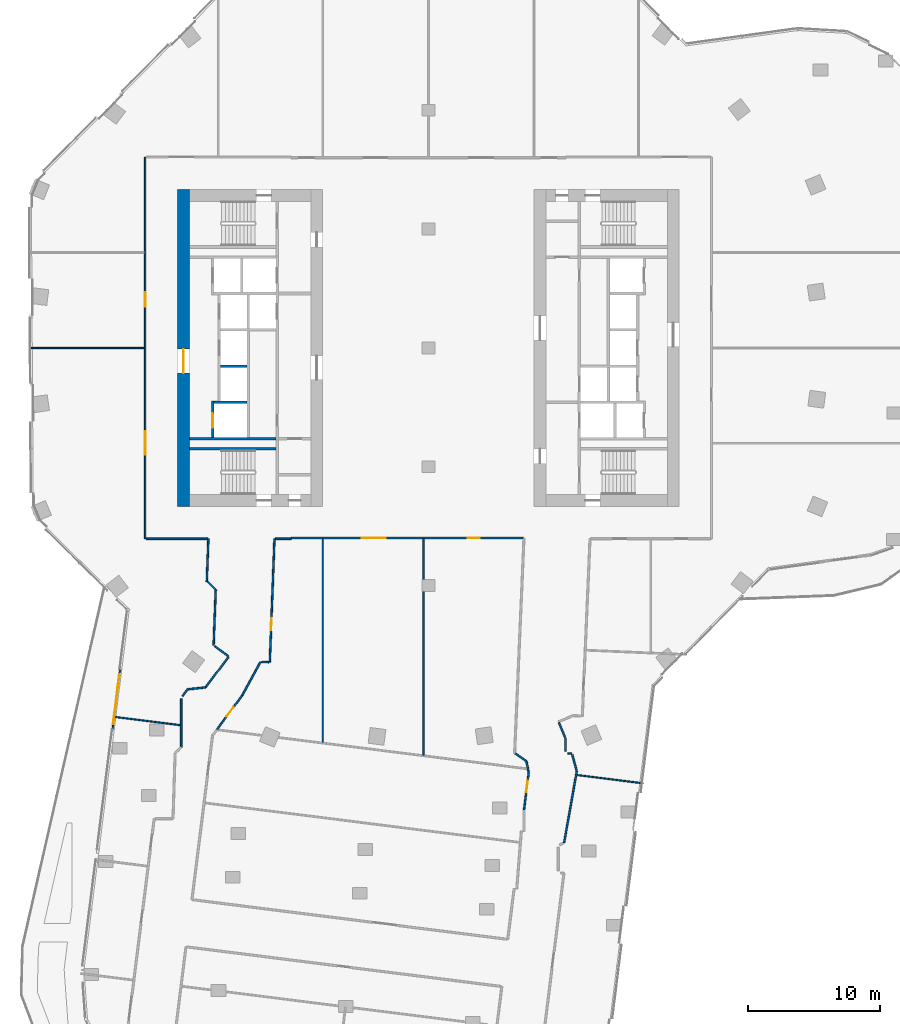
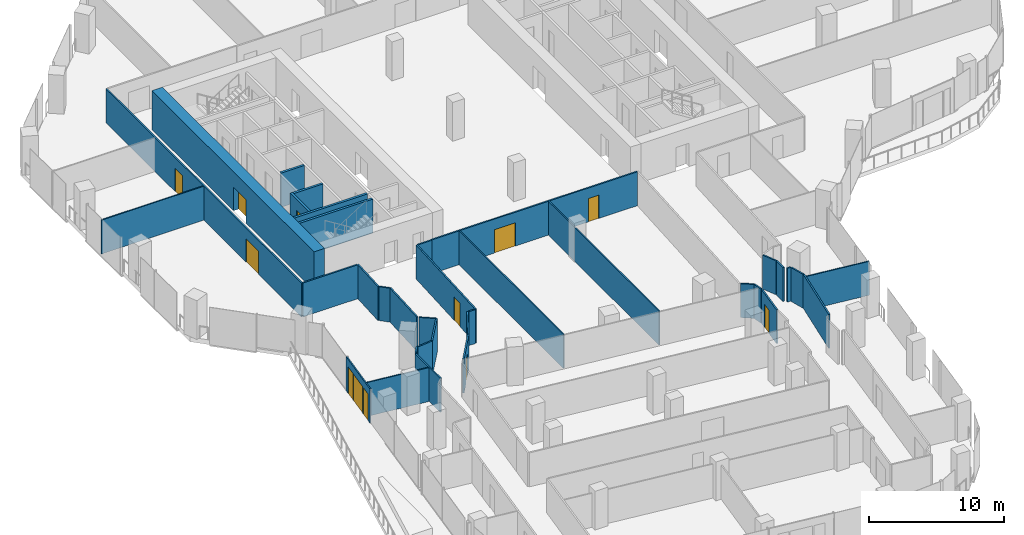
# One storey, part 20 of 29: 36 walls, 10 doors, 2 windows, 12 openings.
"""IFC4 building model written with IfcOpenShell, lengths in metres."""

from ifc_helpers import new_model, si_unit, direction, frame, frame_2d, origin, place, context, subcontext, project, spatial, rectangle, extrude, material, layer, layer_set, type_object, element, fill, save


model = new_model("IFC4")

# Units and contexts
model_context = context("Model", 3, precision=1e-05, world=origin(), true_north=direction((0.0, 1.0)))
body_context = subcontext(model_context, "Body", "Model", "MODEL_VIEW")
ifc_project = project(units=[si_unit("LENGTHUNIT", "METRE"), si_unit("AREAUNIT", "SQUARE_METRE"), si_unit("VOLUMEUNIT", "CUBIC_METRE"), si_unit("PLANEANGLEUNIT", "RADIAN"), si_unit("MASSUNIT", "GRAM", prefix="KILO")], contexts=[model_context])

# Site, building, storey
site_placement = place(None, origin())
site = spatial("IfcSite", under=ifc_project, at=site_placement, CompositionType="ELEMENT")
building_placement = place(site_placement, origin())
building = spatial("IfcBuilding", under=site, at=building_placement, Name="Orlundy Tower", CompositionType="ELEMENT")
storey_placement = place(building_placement, frame((0.0, 0.0, 188.60009765625)))
storey = spatial("IfcBuildingStorey", under=building, at=storey_placement, Name="L49", CompositionType="ELEMENT", Elevation=188.60009765625)

# Wall, opening, door
ifc_material_1 = material(Name="Concrete C70/85", Category="concrete")
ifc_layer_1 = layer(ifc_material_1, 0.89990234375)
ifc_layer_set_1 = layer_set([ifc_layer_1], Name="CORE WALL 900 C70/85")
wall_type_1 = type_object("IfcWallType", Name="CORE WALL 900 C70/85", PredefinedType="SHEAR", material=ifc_layer_set_1)
wall_1_placement = place(storey_placement, frame((-18.550048828125, -12.0, 0.0), z_axis=(0.0, 0.0, 1.0), x_axis=(0.0, 1.0, 0.0)))
wall_1 = element("IfcWall", 1, at=wall_1_placement, inside=storey, type_object=wall_type_1, Name="Core wall W-W L49", PredefinedType="SHEAR", context=body_context, shape_type="SweptSolid", body=[
    extrude(rectangle(XDim=24.0, YDim=0.89990234375, at=frame_2d((12.0, 0.0))), origin(), (0.0, 0.0, 1.0), 3.5),
])
opening_1_placement = place(wall_1_placement, frame((10.10009765625, 0.0, 0.0)))
opening_1 = element("IfcOpeningElement", 2, at=opening_1_placement, cuts=wall_1, Name="Opening 38009", PredefinedType="OPENING", context=body_context, shape_type="SweptSolid", body=[
    extrude(rectangle(XDim=1.800048828125, YDim=2.10009765625, at=frame_2d((0.89990234375, 1.050048828125))), frame((0.0, 0.4599609375, 0.0), z_axis=(0.0, -1.0, 0.0), x_axis=(1.0, 0.0, 0.0)), (0.0, 0.0, 1.0), 0.919921875),
])
ifc_material_2 = material(Name="Timber door set", Category="wood")
door_type_1 = type_object("IfcDoorType", Name="Lobby Door 1800x2100", OperationType="DOUBLE_DOOR_DOUBLE_SWING", PredefinedType="DOOR", material=ifc_material_2)
door_1_placement = place(opening_1_placement, origin())
door_1 = element("IfcDoor", 3, at=door_1_placement, inside=storey, type_object=door_type_1, Name="Lift lobby door 38009", OperationType="SINGLE_SWING_LEFT", OverallHeight=2.10009765625, OverallWidth=1.800048828125, PredefinedType="DOOR", context=body_context, shape_type="SweptSolid", body=[
    extrude(rectangle(XDim=1.800048828125, YDim=2.10009765625, at=frame_2d((0.89990234375, 1.050048828125))), frame((0.0, 0.02490234375, 0.0), z_axis=(0.0, -1.0, 0.0), x_axis=(1.0, 0.0, 0.0)), (0.0, 0.0, 1.0), 0.050048828125),
])
fill(opening_1, door_1)

# Walls
ifc_material_3 = material(Name="Gypsum board partition")
ifc_layer_2 = layer(ifc_material_3, 0.10009765625)
ifc_layer_set_2 = layer_set([ifc_layer_2], Name="Floor partition 100")
wall_type_2 = type_object("IfcWallType", Name="Floor partition 100", PredefinedType="PARTITIONING", material=ifc_layer_set_2)
wall_2_placement = place(storey_placement, frame((-23.702880859375, -27.955078125, 0.0), z_axis=(0.0, 0.0, 1.0), x_axis=(0.992195935575, -0.124688513617, 0.0)))
element("IfcWall", 4, at=wall_2_placement, inside=storey, type_object=wall_type_2, Name="wall-int-L49-015", PredefinedType="PARTITIONING", context=body_context, shape_type="SweptSolid", body=[
    extrude(rectangle(XDim=4.963623046875, YDim=0.10009765625, at=frame_2d((2.48193359375, 0.0))), origin(), (0.0, 0.0, 1.0), 3.059814453125),
])
wall_3_placement = place(storey_placement, frame((11.27001953125, -32.35302734375, 0.0), z_axis=(0.0, 0.0, 1.0), x_axis=(0.992205292303, -0.124614035831, 0.0)))
element("IfcWall", 5, at=wall_3_placement, inside=storey, type_object=wall_type_2, Name="wall-int-L49-017", PredefinedType="PARTITIONING", context=body_context, shape_type="SweptSolid", body=[
    extrude(rectangle(XDim=5.03125, YDim=0.10009765625, at=frame_2d((2.515625, 0.0))), origin(), (0.0, 0.0, 1.0), 3.059814453125),
])
wall_4_placement = place(storey_placement, frame((-30.2509765625, 0.0, 0.0), z_axis=(0.0, 0.0, 1.0), x_axis=(1.0, 0.0, 0.0)))
element("IfcWall", 6, at=wall_4_placement, inside=storey, type_object=wall_type_2, Name="wall-int-L49-035", PredefinedType="PARTITIONING", context=body_context, shape_type="SweptSolid", body=[
    extrude(rectangle(XDim=8.739013671875, YDim=0.10009765625, at=frame_2d((4.36962890625, 0.0))), origin(), (0.0, 0.0, 1.0), 3.059814453125),
])
wall_5_placement = place(storey_placement, frame((-0.37890625, -30.837890625, 0.0), z_axis=(0.0, 0.0, 1.0), x_axis=(0.0, 1.0, 0.0)))
element("IfcWall", 7, at=wall_5_placement, inside=storey, type_object=wall_type_2, Name="wall-int-L49-081", PredefinedType="PARTITIONING", context=body_context, shape_type="SweptSolid", body=[
    extrude(rectangle(XDim=16.375, YDim=0.10009765625, at=frame_2d((8.1875, 0.0))), origin(), (0.0, 0.0, 1.0), 3.059814453125),
])
wall_6_placement = place(storey_placement, frame((-8.0, -29.87890625, 0.0), z_axis=(0.0, 0.0, 1.0), x_axis=(0.0, 1.0, 0.0)))
element("IfcWall", 8, at=wall_6_placement, inside=storey, type_object=wall_type_2, Name="wall-int-L49-082", PredefinedType="PARTITIONING", context=body_context, shape_type="SweptSolid", body=[
    extrude(rectangle(XDim=15.416015625, YDim=0.10009765625, at=frame_2d((7.7080078125, 0.0))), origin(), (0.0, 0.0, 1.0), 3.059814453125),
])
ifc_material_4 = material(Name="Gypsum board partition, double layer")
ifc_layer_3 = layer(ifc_material_4, 0.125)
ifc_layer_set_3 = layer_set([ifc_layer_3], Name="Floor partition 125")
wall_type_3 = type_object("IfcWallType", Name="Floor partition 125", PredefinedType="PARTITIONING", material=ifc_layer_set_3)
wall_7_placement = place(storey_placement, frame((7.587890625, -32.117919921875, 0.0), z_axis=(0.0, 0.0, 1.0), x_axis=(-0.188133951959, 0.982143378596, 0.0)))
element("IfcWall", 9, at=wall_7_placement, inside=storey, type_object=wall_type_3, Name="wall-int-L49-001", PredefinedType="PARTITIONING", context=body_context, shape_type="SweptSolid", body=[
    extrude(rectangle(XDim=0.812255859375, YDim=0.125, at=frame_2d((0.40625, 0.0))), origin(), (0.0, 0.0, 1.0), 3.059814453125),
])
wall_8_placement = place(storey_placement, frame((11.22705078125, -32.0009765625, 0.0), z_axis=(0.0, 0.0, 1.0), x_axis=(-0.264486640985, 0.964389349143, 0.0)))
element("IfcWall", 10, at=wall_8_placement, inside=storey, type_object=wall_type_3, Name="wall-int-L49-002", PredefinedType="PARTITIONING", context=body_context, shape_type="SweptSolid", body=[
    extrude(rectangle(XDim=1.23681640625, YDim=0.125, at=frame_2d((0.618408203125, 0.0))), origin(), (0.0, 0.0, 1.0), 3.059814453125),
])
wall_9_placement = place(storey_placement, frame((9.885009765625, -28.373046875, 0.0), z_axis=(0.0, 0.0, 1.0), x_axis=(0.388859205029, -0.921297193453, 0.0)))
element("IfcWall", 11, at=wall_9_placement, inside=storey, type_object=wall_type_3, Name="wall-int-L49-003", PredefinedType="PARTITIONING", context=body_context, shape_type="SweptSolid", body=[
    extrude(rectangle(XDim=1.224365234375, YDim=0.125, at=frame_2d((0.6123046875, 0.0))), origin(), (0.0, 0.0, 1.0), 3.059814453125),
])
wall_10_placement = place(storey_placement, frame((-18.156982421875, -25.85302734375, 0.0), z_axis=(0.0, 0.0, 1.0), x_axis=(0.994151491091, 0.107994503385, 0.0)))
element("IfcWall", 12, at=wall_10_placement, inside=storey, type_object=wall_type_3, Name="wall-int-L49-004", PredefinedType="PARTITIONING", context=body_context, shape_type="SweptSolid", body=[
    extrude(rectangle(XDim=1.297607421875, YDim=0.125, at=frame_2d((0.64892578125, 0.0))), origin(), (0.0, 0.0, 1.0), 3.059814453125),
])
wall_11_placement = place(storey_placement, frame((-16.169921875, -22.595947265625, 0.0), z_axis=(0.0, 0.0, 1.0), x_axis=(0.800493304829, -0.5993416963, 0.0)))
element("IfcWall", 13, at=wall_11_placement, inside=storey, type_object=wall_type_3, Name="wall-int-L49-005", PredefinedType="PARTITIONING", context=body_context, shape_type="SweptSolid", body=[
    extrude(rectangle(XDim=1.24658203125, YDim=0.125, at=frame_2d((0.623291015625, 0.0))), origin(), (0.0, 0.0, 1.0), 3.059814453125),
])
wall_12_placement = place(storey_placement, frame((6.597900390625, -30.714111328125, 0.0), z_axis=(0.0, 0.0, 1.0), x_axis=(0.810062066622, -0.586344138045, 0.0)))
element("IfcWall", 14, at=wall_12_placement, inside=storey, type_object=wall_type_3, Name="wall-int-L49-020", PredefinedType="PARTITIONING", context=body_context, shape_type="SweptSolid", body=[
    extrude(rectangle(XDim=1.033447265625, YDim=0.125, at=frame_2d((0.5166015625, 0.0))), origin(), (0.0, 0.0, 1.0), 3.059814453125),
])
wall_13_placement = place(storey_placement, frame((-12.60791015625, -23.785888671875, 0.0), z_axis=(0.0, 0.0, 1.0), x_axis=(0.999302933235, -0.037331590217, 0.0)))
element("IfcWall", 15, at=wall_13_placement, inside=storey, type_object=wall_type_3, Name="wall-int-L49-021", PredefinedType="PARTITIONING", context=body_context, shape_type="SweptSolid", body=[
    extrude(rectangle(XDim=0.536376953125, YDim=0.125, at=frame_2d((0.26806640625, 0.0))), origin(), (0.0, 0.0, 1.0), 3.059814453125),
])
wall_14_placement = place(storey_placement, frame((-16.720947265625, -17.705078125, 0.0), z_axis=(0.0, 0.0, 1.0), x_axis=(0.716998870517, -0.697074328661, 0.0)))
element("IfcWall", 16, at=wall_14_placement, inside=storey, type_object=wall_type_3, Name="wall-int-L49-022", PredefinedType="PARTITIONING", context=body_context, shape_type="SweptSolid", body=[
    extrude(rectangle(XDim=0.857666015625, YDim=0.125, at=frame_2d((0.4287109375, 0.0))), origin(), (0.0, 0.0, 1.0), 3.059814453125),
])
wall_15_placement = place(storey_placement, frame((10.572998046875, -30.72900390625, 0.0), z_axis=(0.0, 0.0, 1.0), x_axis=(1.0, 0.0, 0.0)))
element("IfcWall", 17, at=wall_15_placement, inside=storey, type_object=wall_type_3, Name="wall-int-L49-028", PredefinedType="PARTITIONING", context=body_context, shape_type="SweptSolid", body=[
    extrude(rectangle(XDim=0.304931640625, YDim=0.125, at=frame_2d((0.15234375, 0.0))), origin(), (0.0, 0.0, 1.0), 3.059814453125),
])
wall_16_placement = place(storey_placement, frame((-21.386962890625, -14.450927734375, 0.0), z_axis=(0.0, 0.0, 1.0), x_axis=(1.0, 0.0, 0.0)))
element("IfcWall", 18, at=wall_16_placement, inside=storey, type_object=wall_type_3, Name="wall-int-L49-030", PredefinedType="PARTITIONING", context=body_context, shape_type="SweptSolid", body=[
    extrude(rectangle(XDim=4.662841796875, YDim=0.125, at=frame_2d((2.33154296875, 0.0))), origin(), (0.0, 0.0, 1.0), 3.059814453125),
])
wall_17_placement = place(storey_placement, frame((-11.593994140625, -14.450927734375, 0.0), z_axis=(0.0, 0.0, 1.0), x_axis=(1.0, 0.0, 0.0)))
element("IfcWall", 19, at=wall_17_placement, inside=storey, type_object=wall_type_3, Name="wall-int-L49-031", PredefinedType="PARTITIONING", context=body_context, shape_type="SweptSolid", body=[
    extrude(rectangle(XDim=1.202880859375, YDim=0.125, at=frame_2d((0.6015625, 0.0))), origin(), (0.0, 0.0, 1.0), 3.059814453125),
])

# Wall, openings, doors
wall_18_placement = place(storey_placement, frame((7.178955078125, -14.40087890625, 0.0), z_axis=(0.0, 0.0, 1.0), x_axis=(-1.0, 0.0, 0.0)))
wall_18 = element("IfcWall", 20, at=wall_18_placement, inside=storey, type_object=wall_type_3, Name="wall-int-L49-033", PredefinedType="PARTITIONING", context=body_context, shape_type="SweptSolid", body=[
    extrude(rectangle(XDim=17.56884765625, YDim=0.125, at=frame_2d((8.784423828125, 0.0))), origin(), (0.0, 0.0, 1.0), 3.059814453125),
])
opening_2_placement = place(wall_18_placement, frame((10.408447265625, 0.0, 0.0)))
opening_2 = element("IfcOpeningElement", 21, at=opening_2_placement, cuts=wall_18, Name="Opening 38113", PredefinedType="OPENING", context=body_context, shape_type="SweptSolid", body=[
    extrude(rectangle(XDim=1.800048828125, YDim=2.10009765625, at=frame_2d((0.89990234375, 1.050048828125))), frame((0.0, 0.072509765625, 0.0), z_axis=(0.0, -1.0, 0.0), x_axis=(1.0, 0.0, 0.0)), (0.0, 0.0, 1.0), 0.14501953125),
])
opening_3_placement = place(wall_18_placement, frame((3.28759765625, 0.0, 0.0)))
opening_3 = element("IfcOpeningElement", 22, at=opening_3_placement, cuts=wall_18, Name="Opening 38114", PredefinedType="OPENING", context=body_context, shape_type="SweptSolid", body=[
    extrude(rectangle(XDim=0.89990234375, YDim=2.10009765625, at=frame_2d((0.449951171875, 1.050048828125))), frame((0.0, 0.072509765625, 0.0), z_axis=(0.0, -1.0, 0.0), x_axis=(1.0, 0.0, 0.0)), (0.0, 0.0, 1.0), 0.14501953125),
])
ifc_material_5 = material(Name="Timber door leaf", Category="wood")
door_type_2 = type_object("IfcDoorType", Name="Floor door double 1800 FD30S", OperationType="NOTDEFINED", PredefinedType="DOOR", material=ifc_material_5)
door_2_placement = place(opening_2_placement, origin())
door_2 = element("IfcDoor", 23, at=door_2_placement, inside=storey, type_object=door_type_2, Name="Door 38113", OperationType="DOUBLE_DOOR_SINGLE_SWING", OverallHeight=2.10009765625, OverallWidth=1.800048828125, PredefinedType="DOOR", context=body_context, shape_type="SweptSolid", body=[
    extrude(rectangle(XDim=1.800048828125, YDim=2.10009765625, at=frame_2d((0.89990234375, 1.050048828125))), frame((0.0, 0.02490234375, 0.0), z_axis=(0.0, -1.0, 0.0), x_axis=(1.0, 0.0, 0.0)), (0.0, 0.0, 1.0), 0.050048828125),
])
fill(opening_2, door_2)
ifc_material_6 = material(Name="Timber door leaf", Category="wood")
door_type_3 = type_object("IfcDoorType", Name="Floor door single 900 FD30S", OperationType="NOTDEFINED", PredefinedType="DOOR", material=ifc_material_6)
door_3_placement = place(opening_3_placement, origin())
door_3 = element("IfcDoor", 24, at=door_3_placement, inside=storey, type_object=door_type_3, Name="Door 38114", OperationType="SINGLE_SWING_LEFT", OverallHeight=2.10009765625, OverallWidth=0.89990234375, PredefinedType="DOOR", context=body_context, shape_type="SweptSolid", body=[
    extrude(rectangle(XDim=0.89990234375, YDim=2.10009765625, at=frame_2d((0.449951171875, 1.050048828125))), frame((0.0, 0.02490234375, 0.0), z_axis=(0.0, -1.0, 0.0), x_axis=(1.0, 0.0, 0.0)), (0.0, 0.0, 1.0), 0.050048828125),
])
fill(opening_3, door_3)

# Wall
wall_19_placement = place(storey_placement, frame((-16.866943359375, -25.712890625, 0.0), z_axis=(0.0, 0.0, 1.0), x_axis=(0.598926805965, 0.800803771905, 0.0)))
element("IfcWall", 25, at=wall_19_placement, inside=storey, type_object=wall_type_3, Name="wall-int-L49-044", PredefinedType="PARTITIONING", context=body_context, shape_type="SweptSolid", body=[
    extrude(rectangle(XDim=2.913330078125, YDim=0.125, at=frame_2d((1.45654296875, 0.0))), origin(), (0.0, 0.0, 1.0), 3.059814453125),
])

# Wall, opening, door
wall_20_placement = place(storey_placement, frame((-14.093017578125, -26.306884765625, 0.0), z_axis=(0.0, 0.0, 1.0), x_axis=(-0.594298094146, -0.80424484785, 0.0)))
wall_20 = element("IfcWall", 26, at=wall_20_placement, inside=storey, type_object=wall_type_3, Name="wall-int-L49-046", PredefinedType="PARTITIONING", context=body_context, shape_type="SweptSolid", body=[
    extrude(rectangle(XDim=3.2490234375, YDim=0.125, at=frame_2d((1.62451171875, 0.0))), origin(), (0.0, 0.0, 1.0), 3.059814453125),
])
opening_4_placement = place(wall_20_placement, frame((1.10009765625, 0.0, 0.0)))
opening_4 = element("IfcOpeningElement", 27, at=opening_4_placement, cuts=wall_20, Name="Opening 38111", PredefinedType="OPENING", context=body_context, shape_type="SweptSolid", body=[
    extrude(rectangle(XDim=0.89990234375, YDim=2.10009765625, at=frame_2d((0.449951171875, 1.050048828125))), frame((0.0, 0.072509765625, 0.0), z_axis=(0.0, -1.0, 0.0), x_axis=(1.0, 0.0, 0.0)), (0.0, 0.0, 1.0), 0.14501953125),
])
door_4_placement = place(opening_4_placement, origin())
door_4 = element("IfcDoor", 28, at=door_4_placement, inside=storey, type_object=door_type_3, Name="Door 38111", OperationType="SINGLE_SWING_LEFT", OverallHeight=2.10009765625, OverallWidth=0.89990234375, PredefinedType="DOOR", context=body_context, shape_type="SweptSolid", body=[
    extrude(rectangle(XDim=0.89990234375, YDim=2.10009765625, at=frame_2d((0.449951171875, 1.050048828125))), frame((0.0, 0.02490234375, 0.0), z_axis=(0.0, -1.0, 0.0), x_axis=(1.0, 0.0, 0.0)), (0.0, 0.0, 1.0), 0.050048828125),
])
fill(opening_4, door_4)

# Walls
wall_21_placement = place(storey_placement, frame((-18.6259765625, -26.382080078125, 0.0), z_axis=(0.0, 0.0, 1.0), x_axis=(0.594596116481, 0.804024538348, 0.0)))
element("IfcWall", 29, at=wall_21_placement, inside=storey, type_object=wall_type_3, Name="wall-int-L49-047", PredefinedType="PARTITIONING", context=body_context, shape_type="SweptSolid", body=[
    extrude(rectangle(XDim=0.702880859375, YDim=0.125, at=frame_2d((0.3515625, 0.0))), origin(), (0.0, 0.0, 1.0), 3.059814453125),
])
wall_22_placement = place(storey_placement, frame((-14.093017578125, -26.306884765625, 0.0), z_axis=(0.0, 0.0, 1.0), x_axis=(0.480674893903, 0.876898880357, 0.0)))
element("IfcWall", 30, at=wall_22_placement, inside=storey, type_object=wall_type_3, Name="wall-int-L49-048", PredefinedType="PARTITIONING", context=body_context, shape_type="SweptSolid", body=[
    extrude(rectangle(XDim=2.87939453125, YDim=0.125, at=frame_2d((1.439697265625, 0.0))), origin(), (0.0, 0.0, 1.0), 3.059814453125),
])
wall_23_placement = place(storey_placement, frame((11.243896484375, -32.06103515625, 0.0), z_axis=(0.0, 0.0, 1.0), x_axis=(-0.174322029995, -0.984688696928, 0.0)))
element("IfcWall", 31, at=wall_23_placement, inside=storey, type_object=wall_type_3, Name="wall-int-L49-051", PredefinedType="PARTITIONING", context=body_context, shape_type="SweptSolid", body=[
    extrude(rectangle(XDim=5.501220703125, YDim=0.125, at=frame_2d((2.75048828125, 0.0))), origin(), (0.0, 0.0, 1.0), 3.059814453125),
])

# Wall, opening, door
wall_24_placement = place(storey_placement, frame((7.2451171875, -35.007080078125, 0.0), z_axis=(0.0, 0.0, 1.0), x_axis=(0.124540735204, 0.992214495598, 0.0)))
wall_24 = element("IfcWall", 32, at=wall_24_placement, inside=storey, type_object=wall_type_3, Name="wall-int-L49-056", PredefinedType="PARTITIONING", context=body_context, shape_type="SweptSolid", body=[
    extrude(rectangle(XDim=2.850341796875, YDim=0.125, at=frame_2d((1.42529296875, 0.0))), origin(), (0.0, 0.0, 1.0), 3.059814453125),
])
opening_5_placement = place(wall_24_placement, frame((1.35009765625, 0.0, 0.0)))
opening_5 = element("IfcOpeningElement", 33, at=opening_5_placement, cuts=wall_24, Name="Opening 38102", PredefinedType="OPENING", context=body_context, shape_type="SweptSolid", body=[
    extrude(rectangle(XDim=0.89990234375, YDim=2.10009765625, at=frame_2d((0.449951171875, 1.050048828125))), frame((0.0, 0.072509765625, 0.0), z_axis=(0.0, -1.0, 0.0), x_axis=(1.0, 0.0, 0.0)), (0.0, 0.0, 1.0), 0.14501953125),
])
door_5_placement = place(opening_5_placement, origin())
door_5 = element("IfcDoor", 34, at=door_5_placement, inside=storey, type_object=door_type_3, Name="Door 38102", OperationType="SINGLE_SWING_RIGHT", OverallHeight=2.10009765625, OverallWidth=0.89990234375, PredefinedType="DOOR", context=body_context, shape_type="SweptSolid", body=[
    extrude(rectangle(XDim=0.89990234375, YDim=2.10009765625, at=frame_2d((0.449951171875, 1.050048828125))), frame((0.0, 0.02490234375, 0.0), z_axis=(0.0, -1.0, 0.0), x_axis=(1.0, 0.0, 0.0)), (0.0, 0.0, 1.0), 0.050048828125),
])
fill(opening_5, door_5)

wall_25_placement = place(storey_placement, frame((-11.656005859375, -14.451904296875, 0.0), z_axis=(0.0, 0.0, 1.0), x_axis=(-0.037705079582, -0.999288910663, 0.0)))
wall_25 = element("IfcWall", 35, at=wall_25_placement, inside=storey, type_object=wall_type_3, Name="wall-int-L49-068", PredefinedType="PARTITIONING", context=body_context, shape_type="SweptSolid", body=[
    extrude(rectangle(XDim=9.36279296875, YDim=0.125, at=frame_2d((4.681396484375, 0.0))), origin(), (0.0, 0.0, 1.0), 3.059814453125),
])
opening_6_placement = place(wall_25_placement, frame((6.041259765625, 0.0, 0.0)))
opening_6 = element("IfcOpeningElement", 36, at=opening_6_placement, cuts=wall_25, Name="Opening 38112", PredefinedType="OPENING", context=body_context, shape_type="SweptSolid", body=[
    extrude(rectangle(XDim=0.89990234375, YDim=2.10009765625, at=frame_2d((0.449951171875, 1.050048828125))), frame((0.0, 0.072509765625, 0.0), z_axis=(0.0, -1.0, 0.0), x_axis=(1.0, 0.0, 0.0)), (0.0, 0.0, 1.0), 0.14501953125),
])
door_6_placement = place(opening_6_placement, origin())
door_6 = element("IfcDoor", 37, at=door_6_placement, inside=storey, type_object=door_type_3, Name="Door 38112", OperationType="SINGLE_SWING_RIGHT", OverallHeight=2.10009765625, OverallWidth=0.89990234375, PredefinedType="DOOR", context=body_context, shape_type="SweptSolid", body=[
    extrude(rectangle(XDim=0.89990234375, YDim=2.10009765625, at=frame_2d((0.449951171875, 1.050048828125))), frame((0.0, 0.02490234375, 0.0), z_axis=(0.0, -1.0, 0.0), x_axis=(1.0, 0.0, 0.0)), (0.0, 0.0, 1.0), 0.050048828125),
])
fill(opening_6, door_6)

# Walls
wall_26_placement = place(storey_placement, frame((-16.264892578125, -22.52490234375, 0.0), z_axis=(0.0, 0.0, 1.0), x_axis=(0.037618643473, 0.999292168319, 0.0)))
element("IfcWall", 38, at=wall_26_placement, inside=storey, type_object=wall_type_3, Name="wall-int-L49-069", PredefinedType="PARTITIONING", context=body_context, shape_type="SweptSolid", body=[
    extrude(rectangle(XDim=4.224853515625, YDim=0.125, at=frame_2d((2.1123046875, 0.0))), origin(), (0.0, 0.0, 1.0), 3.059814453125),
])
wall_27_placement = place(storey_placement, frame((-16.783935546875, -17.702880859375, 0.0), z_axis=(0.0, 0.0, 1.0), x_axis=(0.037810780634, 0.999284916762, 0.0)))
element("IfcWall", 39, at=wall_27_placement, inside=storey, type_object=wall_type_3, Name="wall-int-L49-070", PredefinedType="PARTITIONING", context=body_context, shape_type="SweptSolid", body=[
    extrude(rectangle(XDim=3.25439453125, YDim=0.125, at=frame_2d((1.627197265625, 0.0))), origin(), (0.0, 0.0, 1.0), 3.059814453125),
])
wall_28_placement = place(storey_placement, frame((10.385009765625, -30.5400390625, 0.0), z_axis=(0.0, 0.0, 1.0), x_axis=(0.0, 1.0, 0.0)))
element("IfcWall", 40, at=wall_28_placement, inside=storey, type_object=wall_type_3, Name="wall-int-L49-074", PredefinedType="PARTITIONING", context=body_context, shape_type="SweptSolid", body=[
    extrude(rectangle(XDim=0.98095703125, YDim=0.125, at=frame_2d((0.490478515625, 0.0))), origin(), (0.0, 0.0, 1.0), 3.059814453125),
])
wall_29_placement = place(storey_placement, frame((-18.716064453125, -30.237060546875, 0.0), z_axis=(0.0, 0.0, 1.0), x_axis=(0.0, 1.0, 0.0)))
element("IfcWall", 41, at=wall_29_placement, inside=storey, type_object=wall_type_3, Name="wall-int-L49-085", PredefinedType="PARTITIONING", context=body_context, shape_type="SweptSolid", body=[
    extrude(rectangle(XDim=3.677978515625, YDim=0.125, at=frame_2d((1.8388671875, 0.0))), origin(), (0.0, 0.0, 1.0), 3.059814453125),
])

# Wall, openings, doors
wall_30_placement = place(storey_placement, frame((-21.449951171875, -14.450927734375, 0.0), z_axis=(0.0, 0.0, 1.0), x_axis=(0.0, 1.0, 0.0)))
wall_30 = element("IfcWall", 42, at=wall_30_placement, inside=storey, type_object=wall_type_3, Name="wall-int-L49-086", PredefinedType="PARTITIONING", context=body_context, shape_type="SweptSolid", body=[
    extrude(rectangle(XDim=28.90185546875, YDim=0.125, at=frame_2d((14.450927734375, 0.0))), origin(), (0.0, 0.0, 1.0), 3.059814453125),
])
opening_7_placement = place(wall_30_placement, frame((6.35009765625, 0.0, 0.0)))
opening_7 = element("IfcOpeningElement", 43, at=opening_7_placement, cuts=wall_30, Name="Opening 38110", PredefinedType="OPENING", context=body_context, shape_type="SweptSolid", body=[
    extrude(rectangle(XDim=1.800048828125, YDim=2.10009765625, at=frame_2d((0.89990234375, 1.050048828125))), frame((0.0, 0.072509765625, 0.0), z_axis=(0.0, -1.0, 0.0), x_axis=(1.0, 0.0, 0.0)), (0.0, 0.0, 1.0), 0.14501953125),
])
opening_8_placement = place(wall_30_placement, frame((17.551025390625, 0.0, 0.0)))
opening_8 = element("IfcOpeningElement", 44, at=opening_8_placement, cuts=wall_30, Name="Opening 38126", PredefinedType="OPENING", context=body_context, shape_type="SweptSolid", body=[
    extrude(rectangle(XDim=1.10009765625, YDim=2.10009765625, at=frame_2d((0.550048828125, 1.050048828125))), frame((0.0, 0.072509765625, 0.0), z_axis=(0.0, -1.0, 0.0), x_axis=(1.0, 0.0, 0.0)), (0.0, 0.0, 1.0), 0.14501953125),
])
door_7_placement = place(opening_7_placement, origin())
door_7 = element("IfcDoor", 45, at=door_7_placement, inside=storey, type_object=door_type_2, Name="Door 38110", OperationType="DOUBLE_DOOR_SINGLE_SWING", OverallHeight=2.10009765625, OverallWidth=1.800048828125, PredefinedType="DOOR", context=body_context, shape_type="SweptSolid", body=[
    extrude(rectangle(XDim=1.800048828125, YDim=2.10009765625, at=frame_2d((0.89990234375, 1.050048828125))), frame((0.0, 0.02490234375, 0.0), z_axis=(0.0, -1.0, 0.0), x_axis=(1.0, 0.0, 0.0)), (0.0, 0.0, 1.0), 0.050048828125),
])
fill(opening_7, door_7)
ifc_material_7 = material(Name="Timber door leaf", Category="wood")
door_type_4 = type_object("IfcDoorType", Name="Floor door xwide 1100 FD30S", OperationType="NOTDEFINED", PredefinedType="DOOR", material=ifc_material_7)
door_8_placement = place(opening_8_placement, origin())
door_8 = element("IfcDoor", 46, at=door_8_placement, inside=storey, type_object=door_type_4, Name="Door 38126", OperationType="SINGLE_SWING_RIGHT", OverallHeight=2.10009765625, OverallWidth=1.10009765625, PredefinedType="DOOR", context=body_context, shape_type="SweptSolid", body=[
    extrude(rectangle(XDim=1.10009765625, YDim=2.10009765625, at=frame_2d((0.550048828125, 1.050048828125))), frame((0.0, 0.02490234375, 0.0), z_axis=(0.0, -1.0, 0.0), x_axis=(1.0, 0.0, 0.0)), (0.0, 0.0, 1.0), 0.050048828125),
])
fill(opening_8, door_8)

# Wall, openings, windows, door
ifc_material_8 = material(Name="Aluminium bronze and tinted glass", Category="aluminium")
ifc_layer_4 = layer(ifc_material_8, 0.10009765625)
ifc_layer_set_4 = layer_set([ifc_layer_4], Name="Glazed door screen")
wall_type_4 = type_object("IfcWallType", Name="Glazed door screen", PredefinedType="STANDARD", material=ifc_layer_set_4)
wall_31_placement = place(storey_placement, frame((-23.91796875, -28.861572265625, 0.0), z_axis=(0.0, 0.0, 1.0), x_axis=(0.124796053311, 0.992182415223, 0.0)))
wall_31 = element("IfcWall", 47, at=wall_31_placement, inside=storey, type_object=wall_type_4, Name="Glazed door screen", PredefinedType="STANDARD", context=body_context, shape_type="SweptSolid", body=[
    extrude(rectangle(XDim=4.53857421875, YDim=0.10009765625, at=frame_2d((2.269287109375, 0.0))), origin(), (0.0, 0.0, 1.0), 3.079833984375),
])
opening_9_placement = place(wall_31_placement, frame((1.36962890625, 0.0, 0.0)))
opening_9 = element("IfcOpeningElement", 48, at=opening_9_placement, cuts=wall_31, Name="Opening 38940", PredefinedType="OPENING", context=body_context, shape_type="SweptSolid", body=[
    extrude(rectangle(XDim=1.800048828125, YDim=2.39990234375, at=frame_2d((0.89990234375, 1.199951171875))), frame((0.0, 0.06005859375, 0.0), z_axis=(0.0, -1.0, 0.0), x_axis=(1.0, 0.0, 0.0)), (0.0, 0.0, 1.0), 0.1201171875),
])
opening_10_placement = place(wall_31_placement, frame((0.36962890625, 0.0, 0.0)))
opening_10 = element("IfcOpeningElement", 49, at=opening_10_placement, cuts=wall_31, Name="Opening W02", PredefinedType="OPENING", context=body_context, shape_type="SweptSolid", body=[
    extrude(rectangle(XDim=0.89990234375, YDim=2.39990234375, at=frame_2d((0.449951171875, 1.199951171875))), frame((0.0, 0.06005859375, 0.0), z_axis=(0.0, -1.0, 0.0), x_axis=(1.0, 0.0, 0.0)), (0.0, 0.0, 1.0), 0.1201171875),
])
opening_11_placement = place(wall_31_placement, frame((3.26953125, 0.0, 0.0)))
opening_11 = element("IfcOpeningElement", 50, at=opening_11_placement, cuts=wall_31, Name="Opening W02", PredefinedType="OPENING", context=body_context, shape_type="SweptSolid", body=[
    extrude(rectangle(XDim=0.89990234375, YDim=2.39990234375, at=frame_2d((0.449951171875, 1.199951171875))), frame((0.0, 0.06005859375, 0.0), z_axis=(0.0, -1.0, 0.0), x_axis=(1.0, 0.0, 0.0)), (0.0, 0.0, 1.0), 0.1201171875),
])
ifc_material_9 = material(Name="Tinted glass in bronze aluminium frame", Category="aluminium")
window_type = type_object("IfcWindowType", Name="SL2 sidelight 900x2400", PartitioningType="SINGLE_PANEL", PredefinedType="WINDOW", material=ifc_material_9)
window_1_placement = place(opening_10_placement, origin())
window_1 = element("IfcWindow", 51, at=window_1_placement, inside=storey, type_object=window_type, Name="Window W02 L49", OverallHeight=2.39990234375, OverallWidth=0.89990234375, PartitioningType="SINGLE_PANEL", PredefinedType="WINDOW", context=body_context, shape_type="SweptSolid", body=[
    extrude(rectangle(XDim=0.89990234375, YDim=2.39990234375, at=frame_2d((0.449951171875, 1.199951171875))), frame((0.0, 0.030029296875, 0.0), z_axis=(0.0, -1.0, 0.0), x_axis=(1.0, 0.0, 0.0)), (0.0, 0.0, 1.0), 0.06005859375),
])
fill(opening_10, window_1)
window_2_placement = place(opening_11_placement, origin())
window_2 = element("IfcWindow", 52, at=window_2_placement, inside=storey, type_object=window_type, Name="Window W02 L49", OverallHeight=2.39990234375, OverallWidth=0.89990234375, PartitioningType="SINGLE_PANEL", PredefinedType="WINDOW", context=body_context, shape_type="SweptSolid", body=[
    extrude(rectangle(XDim=0.89990234375, YDim=2.39990234375, at=frame_2d((0.449951171875, 1.199951171875))), frame((0.0, 0.030029296875, 0.0), z_axis=(0.0, -1.0, 0.0), x_axis=(1.0, 0.0, 0.0)), (0.0, 0.0, 1.0), 0.06005859375),
])
fill(opening_11, window_2)
ifc_material_10 = material(Name="Aluminium bronze and tinted glass", Category="aluminium")
door_type_5 = type_object("IfcDoorType", Name="TD1 terrace door 1800x2400", OperationType="NOTDEFINED", PredefinedType="DOOR", material=ifc_material_10)
door_9_placement = place(opening_9_placement, origin())
door_9 = element("IfcDoor", 53, at=door_9_placement, inside=storey, type_object=door_type_5, Name="Door 38940", OperationType="DOUBLE_DOOR_SINGLE_SWING", OverallHeight=2.39990234375, OverallWidth=1.800048828125, PredefinedType="DOOR", context=body_context, shape_type="SweptSolid", body=[
    extrude(rectangle(XDim=1.800048828125, YDim=2.39990234375, at=frame_2d((0.89990234375, 1.199951171875))), frame((0.0, 0.02490234375, 0.0), z_axis=(0.0, -1.0, 0.0), x_axis=(1.0, 0.0, 0.0)), (0.0, 0.0, 1.0), 0.050048828125),
])
fill(opening_9, door_9)

# Walls
ifc_material_11 = material(Name="Concrete C40/50", Category="concrete")
ifc_layer_5 = layer(ifc_material_11, 0.199951171875)
ifc_layer_set_5 = layer_set([ifc_layer_5], Name="Load-bearing Shaft Wall 200")
wall_type_5 = type_object("IfcWallType", Name="Load-bearing Shaft Wall 200", PredefinedType="SOLIDWALL", material=ifc_layer_set_5)
wall_32_placement = place(storey_placement, frame((-11.5400390625, -7.64990234375, 0.0), z_axis=(0.0, 0.0, 1.0), x_axis=(-1.0, 0.0, 0.0)))
element("IfcWall", 54, at=wall_32_placement, inside=storey, type_object=wall_type_5, Name="Shaft wall W38-stair-side-s", PredefinedType="SOLIDWALL", context=body_context, shape_type="SweptSolid", body=[
    extrude(rectangle(XDim=6.56005859375, YDim=0.199951171875, at=frame_2d((3.280029296875, 0.0))), origin(), (0.0, 0.0, 1.0), 3.079833984375),
])
ifc_material_12 = material(Name="Fire-rated blockwork shaft wall", Category="masonry")
ifc_layer_6 = layer(ifc_material_12, 0.199951171875)
ifc_layer_set_6 = layer_set([ifc_layer_6], Name="Shaft Wall 200")
wall_type_6 = type_object("IfcWallType", Name="Shaft Wall 200", PredefinedType="SOLIDWALL", material=ifc_layer_set_6)
wall_33_placement = place(storey_placement, frame((-11.5400390625, -6.875, 0.0), z_axis=(0.0, 0.0, 1.0), x_axis=(-1.0, 0.0, 0.0)))
element("IfcWall", 55, at=wall_33_placement, inside=storey, type_object=wall_type_6, Name="Shaft wall W38-zone-s", PredefinedType="SOLIDWALL", context=body_context, shape_type="SweptSolid", body=[
    extrude(rectangle(XDim=6.56005859375, YDim=0.199951171875, at=frame_2d((3.280029296875, 0.0))), origin(), (0.0, 0.0, 1.0), 3.079833984375),
])
wall_34_placement = place(storey_placement, frame((-13.739990234375, -4.125, 0.0), z_axis=(0.0, 0.0, 1.0), x_axis=(-1.0, 0.0, 0.0)))
element("IfcWall", 56, at=wall_34_placement, inside=storey, type_object=wall_type_6, Name="Shaft wall W38-cross-4.125", PredefinedType="SOLIDWALL", context=body_context, shape_type="SweptSolid", body=[
    extrude(rectangle(XDim=2.5, YDim=0.199951171875, at=frame_2d((1.25, 0.0))), origin(), (0.0, 0.0, 1.0), 3.079833984375),
])
wall_35_placement = place(storey_placement, frame((-13.739990234375, -1.375, 0.0), z_axis=(0.0, 0.0, 1.0), x_axis=(-1.0, 0.0, 0.0)))
element("IfcWall", 57, at=wall_35_placement, inside=storey, type_object=wall_type_6, Name="Shaft wall W38-cross-1.375", PredefinedType="SOLIDWALL", context=body_context, shape_type="SweptSolid", body=[
    extrude(rectangle(XDim=2.0, YDim=0.199951171875, at=frame_2d((1.0, 0.0))), origin(), (0.0, 0.0, 1.0), 3.079833984375),
])

# Wall, opening, door
wall_36_placement = place(storey_placement, frame((-16.340087890625, -6.77490234375, 0.0), z_axis=(0.0, 0.0, 1.0), x_axis=(0.0, 1.0, 0.0)))
wall_36 = element("IfcWall", 58, at=wall_36_placement, inside=storey, type_object=wall_type_6, Name="Shaft wall W38-front-o-a", PredefinedType="SOLIDWALL", context=body_context, shape_type="SweptSolid", body=[
    extrude(rectangle(XDim=2.75, YDim=0.199951171875, at=frame_2d((1.375, 0.0))), origin(), (0.0, 0.0, 1.0), 3.079833984375),
])
opening_12_placement = place(wall_36_placement, frame((0.72509765625, 0.0, 0.0)))
opening_12 = element("IfcOpeningElement", 59, at=opening_12_placement, cuts=wall_36, Name="Opening 38001", PredefinedType="OPENING", context=body_context, shape_type="SweptSolid", body=[
    extrude(rectangle(XDim=1.10009765625, YDim=2.10009765625, at=frame_2d((0.550048828125, 1.050048828125))), frame((0.0, 0.110107421875, 0.0), z_axis=(0.0, -1.0, 0.0), x_axis=(1.0, 0.0, 0.0)), (0.0, 0.0, 1.0), 0.22021484375),
])
ifc_material_13 = material(Name="Steel door set", Category="steel")
door_type_6 = type_object("IfcDoorType", Name="Landing Door 1100x2100", OperationType="DOUBLE_DOOR_SLIDING", PredefinedType="DOOR", material=ifc_material_13)
door_10_placement = place(opening_12_placement, origin())
door_10 = element("IfcDoor", 60, at=door_10_placement, inside=storey, type_object=door_type_6, Name="Lift landing door LV-01 38001", OperationType="DOUBLE_DOOR_SLIDING", OverallHeight=2.10009765625, OverallWidth=1.10009765625, PredefinedType="DOOR", context=body_context, shape_type="SweptSolid", body=[
    extrude(rectangle(XDim=1.10009765625, YDim=2.10009765625, at=frame_2d((0.550048828125, 1.050048828125))), frame((0.0, 0.02490234375, 0.0), z_axis=(0.0, -1.0, 0.0), x_axis=(1.0, 0.0, 0.0)), (0.0, 0.0, 1.0), 0.050048828125),
])
fill(opening_12, door_10)

save(model, "model.ifc")
